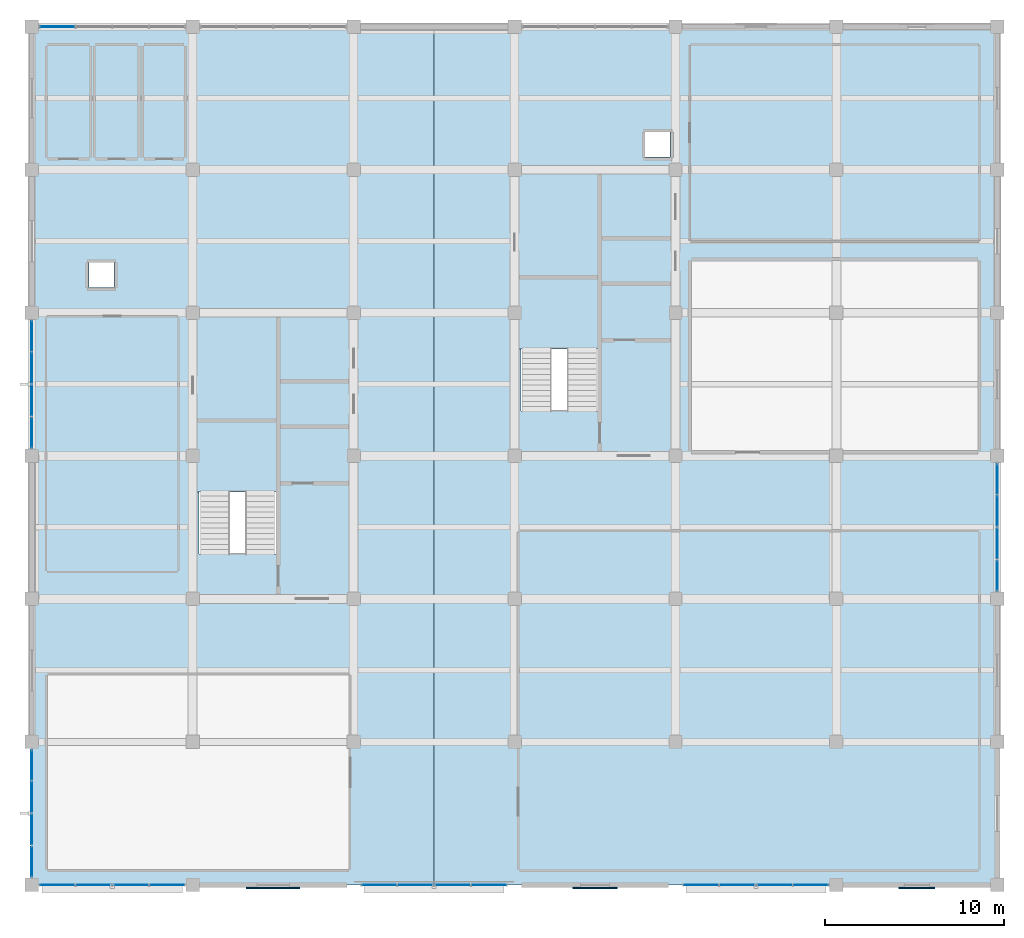
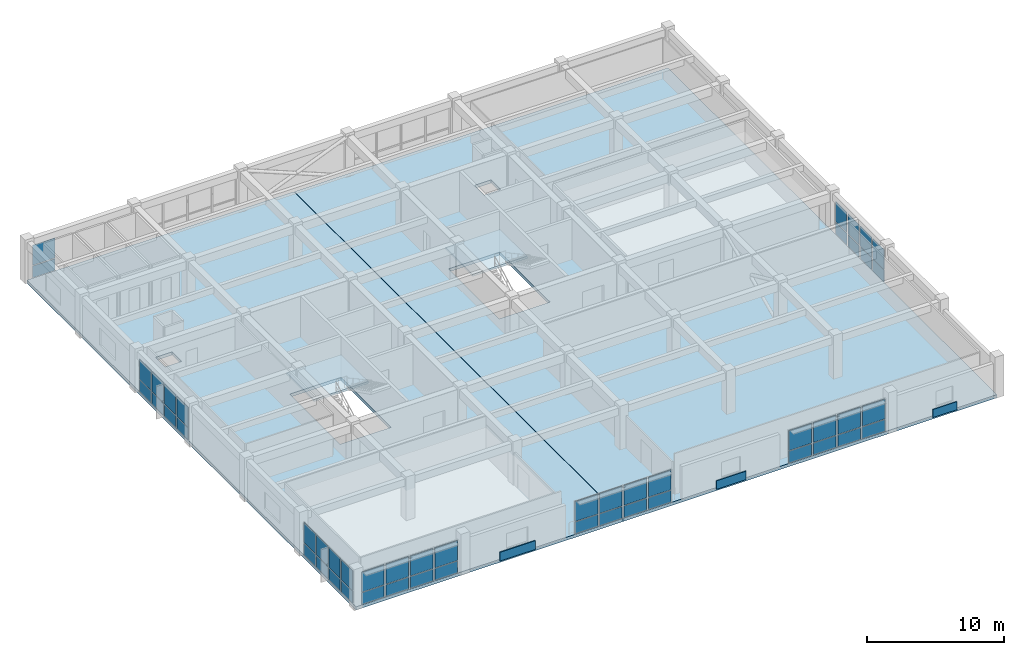
# One storey, part 10 of 15: 53 plates, 4 slabs, 9 elements without a shape of their own.
"""IFC4 building model written with IfcOpenShell, lengths in metres."""

from ifc_helpers import new_model, si_unit, direction, frame, frame_2d, origin, place, context, subcontext, project, spatial, polyline, rectangle, outline, extrude, material, layer, layer_set, type_object, element, aggregate, save


model = new_model("IFC4")

# Units and contexts
model_context = context("Model", 3, precision=1e-05, world=origin(), true_north=direction((0.0, 1.0)))
body_context = subcontext(model_context, "Body", "Model", "MODEL_VIEW")
ifc_project = project(units=[si_unit("LENGTHUNIT", "METRE"), si_unit("AREAUNIT", "SQUARE_METRE"), si_unit("VOLUMEUNIT", "CUBIC_METRE"), si_unit("PLANEANGLEUNIT", "RADIAN"), si_unit("MASSUNIT", "GRAM", prefix="KILO")], contexts=[model_context])

# Site, building, storey
site_placement = place(None, origin())
site = spatial("IfcSite", under=ifc_project, at=site_placement, CompositionType="ELEMENT")
building_placement = place(site_placement, origin())
building = spatial("IfcBuilding", under=site, at=building_placement, Name="Zaverband Oceanarium and Marine Research Institute", CompositionType="ELEMENT")
storey_placement = place(building_placement, frame((0.0, 0.0, 53.10009765625)))
storey = spatial("IfcBuildingStorey", under=building, at=storey_placement, Name="L13", CompositionType="ELEMENT", Elevation=53.10009765625)

# Curtain wall, plates
ifc_material_1 = material(Name="Thermally broken anodized aluminium and solar-control glass", Category="aluminium")
curtain_wall_type = type_object("IfcCurtainWallType", Name="CW-UNIT-1800", PredefinedType="NOTDEFINED", material=ifc_material_1)
curtain_wall_1_placement = place(storey_placement, origin())
curtain_wall_1 = element("IfcCurtainWall", 1, at=curtain_wall_1_placement, inside=storey, type_object=curtain_wall_type, Name="Unitised glazed curtain wall CW-145", PredefinedType="NOTDEFINED")
ifc_material_2 = material(Name="Low-E double-glazed solar-control glass", Category="glass")
ifc_layer_1 = layer(ifc_material_2, 0.033935546875, Name="Low-E double-glazed solar-control glass")
ifc_layer_set_1 = layer_set([ifc_layer_1], Name="Low-E double-glazed solar-control glass")
plate_type_1 = type_object("IfcPlateType", Name="CWP-1570x1043", PredefinedType="CURTAIN_PANEL", material=ifc_layer_set_1)
plate_1_placement = place(storey_placement, frame((9.0, 64.4599609375, 0.0498046875), z_axis=(0.0, 0.0, 1.0), x_axis=(0.0, 1.0, 0.0)))
plate_1 = element("IfcPlate", 2, at=plate_1_placement, type_object=plate_type_1, Name="Glazed curtain wall panel CWP-1570x1043", PredefinedType="CURTAIN_PANEL", context=body_context, shape_type="SweptSolid", body=[
    extrude(rectangle(XDim=1.650146484375, YDim=0.033935546875, at=frame_2d((0.8251953125, 0.0))), origin(), (0.0, 0.0, 1.0), 1.043212890625),
])
plate_2_placement = place(storey_placement, frame((9.0, 66.27001953125, 0.0498046875), z_axis=(0.0, 0.0, 1.0), x_axis=(0.0, 1.0, 0.0)))
plate_2 = element("IfcPlate", 3, at=plate_2_placement, type_object=plate_type_1, Name="Glazed curtain wall panel CWP-1570x1043", PredefinedType="CURTAIN_PANEL", context=body_context, shape_type="SweptSolid", body=[
    extrude(rectangle(XDim=1.64990234375, YDim=0.033935546875, at=frame_2d((0.824951171875, 0.0))), origin(), (0.0, 0.0, 1.0), 1.043212890625),
])
plate_3_placement = place(storey_placement, frame((9.0, 68.080078125, 0.0498046875), z_axis=(0.0, 0.0, 1.0), x_axis=(0.0, 1.0, 0.0)))
plate_3 = element("IfcPlate", 4, at=plate_3_placement, type_object=plate_type_1, Name="Glazed curtain wall panel CWP-1570x1043", PredefinedType="CURTAIN_PANEL", context=body_context, shape_type="SweptSolid", body=[
    extrude(rectangle(XDim=1.64990234375, YDim=0.033935546875, at=frame_2d((0.824951171875, 0.0))), origin(), (0.0, 0.0, 1.0), 1.043212890625),
])
plate_4_placement = place(storey_placement, frame((9.0, 69.889892578125, 0.0498046875), z_axis=(0.0, 0.0, 1.0), x_axis=(0.0, 1.0, 0.0)))
plate_4 = element("IfcPlate", 5, at=plate_4_placement, type_object=plate_type_1, Name="Glazed curtain wall panel CWP-1570x1043", PredefinedType="CURTAIN_PANEL", context=body_context, shape_type="SweptSolid", body=[
    extrude(rectangle(XDim=1.650146484375, YDim=0.033935546875, at=frame_2d((0.8251953125, 0.0))), origin(), (0.0, 0.0, 1.0), 1.043212890625),
])

curtain_wall_2_placement = place(storey_placement, origin())
curtain_wall_2 = element("IfcCurtainWall", 6, at=curtain_wall_2_placement, inside=storey, type_object=curtain_wall_type, Name="Unitised glazed curtain wall CW-146", PredefinedType="NOTDEFINED")
plate_5_placement = place(storey_placement, frame((9.0, 88.4599609375, 0.0498046875), z_axis=(0.0, 0.0, 1.0), x_axis=(0.0, 1.0, 0.0)))
plate_5 = element("IfcPlate", 7, at=plate_5_placement, type_object=plate_type_1, Name="Glazed curtain wall panel CWP-1570x1043", PredefinedType="CURTAIN_PANEL", context=body_context, shape_type="SweptSolid", body=[
    extrude(rectangle(XDim=1.650146484375, YDim=0.033935546875, at=frame_2d((0.8251953125, 0.0))), origin(), (0.0, 0.0, 1.0), 1.043212890625),
])
plate_6_placement = place(storey_placement, frame((9.0, 90.27001953125, 0.0498046875), z_axis=(0.0, 0.0, 1.0), x_axis=(0.0, 1.0, 0.0)))
plate_6 = element("IfcPlate", 8, at=plate_6_placement, type_object=plate_type_1, Name="Glazed curtain wall panel CWP-1570x1043", PredefinedType="CURTAIN_PANEL", context=body_context, shape_type="SweptSolid", body=[
    extrude(rectangle(XDim=1.64990234375, YDim=0.033935546875, at=frame_2d((0.824951171875, 0.0))), origin(), (0.0, 0.0, 1.0), 1.043212890625),
])
plate_7_placement = place(storey_placement, frame((9.0, 92.080078125, 0.0498046875), z_axis=(0.0, 0.0, 1.0), x_axis=(0.0, 1.0, 0.0)))
plate_7 = element("IfcPlate", 9, at=plate_7_placement, type_object=plate_type_1, Name="Glazed curtain wall panel CWP-1570x1043", PredefinedType="CURTAIN_PANEL", context=body_context, shape_type="SweptSolid", body=[
    extrude(rectangle(XDim=1.64990234375, YDim=0.033935546875, at=frame_2d((0.824951171875, 0.0))), origin(), (0.0, 0.0, 1.0), 1.043212890625),
])
plate_8_placement = place(storey_placement, frame((9.0, 93.889892578125, 0.0498046875), z_axis=(0.0, 0.0, 1.0), x_axis=(0.0, 1.0, 0.0)))
plate_8 = element("IfcPlate", 10, at=plate_8_placement, type_object=plate_type_1, Name="Glazed curtain wall panel CWP-1570x1043", PredefinedType="CURTAIN_PANEL", context=body_context, shape_type="SweptSolid", body=[
    extrude(rectangle(XDim=1.650146484375, YDim=0.033935546875, at=frame_2d((0.8251953125, 0.0))), origin(), (0.0, 0.0, 1.0), 1.043212890625),
])

curtain_wall_3_placement = place(storey_placement, origin())
curtain_wall_3 = element("IfcCurtainWall", 11, at=curtain_wall_3_placement, inside=storey, type_object=curtain_wall_type, Name="Unitised glazed curtain wall CW-147", PredefinedType="NOTDEFINED")
plate_9_placement = place(storey_placement, frame((63.0, 80.4599609375, 0.0498046875), z_axis=(0.0, 0.0, 1.0), x_axis=(0.0, 1.0, 0.0)))
plate_9 = element("IfcPlate", 12, at=plate_9_placement, type_object=plate_type_1, Name="Glazed curtain wall panel CWP-1570x1043", PredefinedType="CURTAIN_PANEL", context=body_context, shape_type="SweptSolid", body=[
    extrude(rectangle(XDim=1.650146484375, YDim=0.033935546875, at=frame_2d((0.8251953125, 0.0))), origin(), (0.0, 0.0, 1.0), 1.043212890625),
])
plate_10_placement = place(storey_placement, frame((63.0, 82.27001953125, 0.0498046875), z_axis=(0.0, 0.0, 1.0), x_axis=(0.0, 1.0, 0.0)))
plate_10 = element("IfcPlate", 13, at=plate_10_placement, type_object=plate_type_1, Name="Glazed curtain wall panel CWP-1570x1043", PredefinedType="CURTAIN_PANEL", context=body_context, shape_type="SweptSolid", body=[
    extrude(rectangle(XDim=1.64990234375, YDim=0.033935546875, at=frame_2d((0.824951171875, 0.0))), origin(), (0.0, 0.0, 1.0), 1.043212890625),
])
plate_11_placement = place(storey_placement, frame((63.0, 84.080078125, 0.0498046875), z_axis=(0.0, 0.0, 1.0), x_axis=(0.0, 1.0, 0.0)))
plate_11 = element("IfcPlate", 14, at=plate_11_placement, type_object=plate_type_1, Name="Glazed curtain wall panel CWP-1570x1043", PredefinedType="CURTAIN_PANEL", context=body_context, shape_type="SweptSolid", body=[
    extrude(rectangle(XDim=1.64990234375, YDim=0.033935546875, at=frame_2d((0.824951171875, 0.0))), origin(), (0.0, 0.0, 1.0), 1.043212890625),
])
plate_12_placement = place(storey_placement, frame((63.0, 85.889892578125, 0.0498046875), z_axis=(0.0, 0.0, 1.0), x_axis=(0.0, 1.0, 0.0)))
plate_12 = element("IfcPlate", 15, at=plate_12_placement, type_object=plate_type_1, Name="Glazed curtain wall panel CWP-1570x1043", PredefinedType="CURTAIN_PANEL", context=body_context, shape_type="SweptSolid", body=[
    extrude(rectangle(XDim=1.650146484375, YDim=0.033935546875, at=frame_2d((0.8251953125, 0.0))), origin(), (0.0, 0.0, 1.0), 1.043212890625),
])

# Plate
ifc_layer_2 = layer(ifc_material_2, 0.035888671875, Name="Low-E double-glazed solar-control glass")
ifc_layer_set_2 = layer_set([ifc_layer_2], Name="Low-E double-glazed solar-control glass")
plate_type_2 = type_object("IfcPlateType", Name="CWP-1570x1777", PredefinedType="CURTAIN_PANEL", material=ifc_layer_set_2)
plate_13_placement = place(storey_placement, frame((9.0, 64.4599609375, 1.162841796875), z_axis=(0.0, 0.0, 1.0), x_axis=(0.0, 1.0, 0.0)))
plate_13 = element("IfcPlate", 16, at=plate_13_placement, type_object=plate_type_2, Name="Glazed curtain wall panel CWP-1570x1777", PredefinedType="CURTAIN_PANEL", context=body_context, shape_type="SweptSolid", body=[
    extrude(rectangle(XDim=1.650146484375, YDim=0.035888671875, at=frame_2d((0.8251953125, 0.0))), origin(), (0.0, 0.0, 1.0), 1.777099609375),
])

plate_14_placement = place(storey_placement, frame((9.0, 66.27001953125, 1.162841796875), z_axis=(0.0, 0.0, 1.0), x_axis=(0.0, 1.0, 0.0)))
plate_14 = element("IfcPlate", 17, at=plate_14_placement, type_object=plate_type_2, Name="Glazed curtain wall panel CWP-1570x1777", PredefinedType="CURTAIN_PANEL", context=body_context, shape_type="SweptSolid", body=[
    extrude(rectangle(XDim=1.64990234375, YDim=0.035888671875, at=frame_2d((0.824951171875, 0.0))), origin(), (0.0, 0.0, 1.0), 1.777099609375),
])

plate_15_placement = place(storey_placement, frame((9.0, 68.080078125, 1.162841796875), z_axis=(0.0, 0.0, 1.0), x_axis=(0.0, 1.0, 0.0)))
plate_15 = element("IfcPlate", 18, at=plate_15_placement, type_object=plate_type_2, Name="Glazed curtain wall panel CWP-1570x1777", PredefinedType="CURTAIN_PANEL", context=body_context, shape_type="SweptSolid", body=[
    extrude(rectangle(XDim=1.64990234375, YDim=0.035888671875, at=frame_2d((0.824951171875, 0.0))), origin(), (0.0, 0.0, 1.0), 1.777099609375),
])

plate_16_placement = place(storey_placement, frame((9.0, 69.889892578125, 1.162841796875), z_axis=(0.0, 0.0, 1.0), x_axis=(0.0, 1.0, 0.0)))
plate_16 = element("IfcPlate", 19, at=plate_16_placement, type_object=plate_type_2, Name="Glazed curtain wall panel CWP-1570x1777", PredefinedType="CURTAIN_PANEL", context=body_context, shape_type="SweptSolid", body=[
    extrude(rectangle(XDim=1.650146484375, YDim=0.035888671875, at=frame_2d((0.8251953125, 0.0))), origin(), (0.0, 0.0, 1.0), 1.777099609375),
])

aggregate(curtain_wall_1, [plate_1, plate_13, plate_2, plate_14, plate_3, plate_15, plate_4, plate_16])

plate_17_placement = place(storey_placement, frame((9.0, 88.4599609375, 1.162841796875), z_axis=(0.0, 0.0, 1.0), x_axis=(0.0, 1.0, 0.0)))
plate_17 = element("IfcPlate", 20, at=plate_17_placement, type_object=plate_type_2, Name="Glazed curtain wall panel CWP-1570x1777", PredefinedType="CURTAIN_PANEL", context=body_context, shape_type="SweptSolid", body=[
    extrude(rectangle(XDim=1.650146484375, YDim=0.035888671875, at=frame_2d((0.8251953125, 0.0))), origin(), (0.0, 0.0, 1.0), 1.777099609375),
])

plate_18_placement = place(storey_placement, frame((9.0, 90.27001953125, 1.162841796875), z_axis=(0.0, 0.0, 1.0), x_axis=(0.0, 1.0, 0.0)))
plate_18 = element("IfcPlate", 21, at=plate_18_placement, type_object=plate_type_2, Name="Glazed curtain wall panel CWP-1570x1777", PredefinedType="CURTAIN_PANEL", context=body_context, shape_type="SweptSolid", body=[
    extrude(rectangle(XDim=1.64990234375, YDim=0.035888671875, at=frame_2d((0.824951171875, 0.0))), origin(), (0.0, 0.0, 1.0), 1.777099609375),
])

plate_19_placement = place(storey_placement, frame((9.0, 92.080078125, 1.162841796875), z_axis=(0.0, 0.0, 1.0), x_axis=(0.0, 1.0, 0.0)))
plate_19 = element("IfcPlate", 22, at=plate_19_placement, type_object=plate_type_2, Name="Glazed curtain wall panel CWP-1570x1777", PredefinedType="CURTAIN_PANEL", context=body_context, shape_type="SweptSolid", body=[
    extrude(rectangle(XDim=1.64990234375, YDim=0.035888671875, at=frame_2d((0.824951171875, 0.0))), origin(), (0.0, 0.0, 1.0), 1.777099609375),
])

plate_20_placement = place(storey_placement, frame((9.0, 93.889892578125, 1.162841796875), z_axis=(0.0, 0.0, 1.0), x_axis=(0.0, 1.0, 0.0)))
plate_20 = element("IfcPlate", 23, at=plate_20_placement, type_object=plate_type_2, Name="Glazed curtain wall panel CWP-1570x1777", PredefinedType="CURTAIN_PANEL", context=body_context, shape_type="SweptSolid", body=[
    extrude(rectangle(XDim=1.650146484375, YDim=0.035888671875, at=frame_2d((0.8251953125, 0.0))), origin(), (0.0, 0.0, 1.0), 1.777099609375),
])

aggregate(curtain_wall_2, [plate_5, plate_17, plate_6, plate_18, plate_7, plate_19, plate_8, plate_20])

plate_21_placement = place(storey_placement, frame((63.0, 80.4599609375, 1.162841796875), z_axis=(0.0, 0.0, 1.0), x_axis=(0.0, 1.0, 0.0)))
plate_21 = element("IfcPlate", 24, at=plate_21_placement, type_object=plate_type_2, Name="Glazed curtain wall panel CWP-1570x1777", PredefinedType="CURTAIN_PANEL", context=body_context, shape_type="SweptSolid", body=[
    extrude(rectangle(XDim=1.650146484375, YDim=0.035888671875, at=frame_2d((0.8251953125, 0.0))), origin(), (0.0, 0.0, 1.0), 1.777099609375),
])

plate_22_placement = place(storey_placement, frame((63.0, 82.27001953125, 1.162841796875), z_axis=(0.0, 0.0, 1.0), x_axis=(0.0, 1.0, 0.0)))
plate_22 = element("IfcPlate", 25, at=plate_22_placement, type_object=plate_type_2, Name="Glazed curtain wall panel CWP-1570x1777", PredefinedType="CURTAIN_PANEL", context=body_context, shape_type="SweptSolid", body=[
    extrude(rectangle(XDim=1.64990234375, YDim=0.035888671875, at=frame_2d((0.824951171875, 0.0))), origin(), (0.0, 0.0, 1.0), 1.777099609375),
])

plate_23_placement = place(storey_placement, frame((63.0, 84.080078125, 1.162841796875), z_axis=(0.0, 0.0, 1.0), x_axis=(0.0, 1.0, 0.0)))
plate_23 = element("IfcPlate", 26, at=plate_23_placement, type_object=plate_type_2, Name="Glazed curtain wall panel CWP-1570x1777", PredefinedType="CURTAIN_PANEL", context=body_context, shape_type="SweptSolid", body=[
    extrude(rectangle(XDim=1.64990234375, YDim=0.035888671875, at=frame_2d((0.824951171875, 0.0))), origin(), (0.0, 0.0, 1.0), 1.777099609375),
])

plate_24_placement = place(storey_placement, frame((63.0, 85.889892578125, 1.162841796875), z_axis=(0.0, 0.0, 1.0), x_axis=(0.0, 1.0, 0.0)))
plate_24 = element("IfcPlate", 27, at=plate_24_placement, type_object=plate_type_2, Name="Glazed curtain wall panel CWP-1570x1777", PredefinedType="CURTAIN_PANEL", context=body_context, shape_type="SweptSolid", body=[
    extrude(rectangle(XDim=1.650146484375, YDim=0.035888671875, at=frame_2d((0.8251953125, 0.0))), origin(), (0.0, 0.0, 1.0), 1.777099609375),
])

aggregate(curtain_wall_3, [plate_9, plate_21, plate_10, plate_22, plate_11, plate_23, plate_12, plate_24])

# Curtain wall, plates
curtain_wall_4_placement = place(storey_placement, origin())
curtain_wall_4 = element("IfcCurtainWall", 28, at=curtain_wall_4_placement, inside=storey, type_object=curtain_wall_type, Name="Unitised glazed curtain wall CW-139", PredefinedType="NOTDEFINED")
ifc_layer_3 = layer(ifc_material_2, 0.033935546875, Name="Low-E double-glazed solar-control glass")
ifc_layer_set_3 = layer_set([ifc_layer_3], Name="Low-E double-glazed solar-control glass")
plate_type_3 = type_object("IfcPlateType", Name="CWP-1820x1043", PredefinedType="CURTAIN_PANEL", material=ifc_layer_set_3)
plate_25_placement = place(storey_placement, frame((9.4599609375, 64.0, 0.0498046875), z_axis=(0.0, 0.0, 1.0), x_axis=(1.0, 0.0, 0.0)))
plate_25 = element("IfcPlate", 29, at=plate_25_placement, type_object=plate_type_3, Name="Glazed curtain wall panel CWP-1820x1043", PredefinedType="CURTAIN_PANEL", context=body_context, shape_type="SweptSolid", body=[
    extrude(rectangle(XDim=1.900146484375, YDim=0.033935546875, at=frame_2d((0.9501953125, 0.0))), origin(), (0.0, 0.0, 1.0), 1.043212890625),
])
plate_26_placement = place(storey_placement, frame((11.52001953125, 64.0, 0.0498046875), z_axis=(0.0, 0.0, 1.0), x_axis=(1.0, 0.0, 0.0)))
plate_26 = element("IfcPlate", 30, at=plate_26_placement, type_object=plate_type_3, Name="Glazed curtain wall panel CWP-1820x1043", PredefinedType="CURTAIN_PANEL", context=body_context, shape_type="SweptSolid", body=[
    extrude(rectangle(XDim=1.89990234375, YDim=0.033935546875, at=frame_2d((0.949951171875, 0.0))), origin(), (0.0, 0.0, 1.0), 1.043212890625),
])
plate_27_placement = place(storey_placement, frame((13.580078125, 64.0, 0.0498046875), z_axis=(0.0, 0.0, 1.0), x_axis=(1.0, 0.0, 0.0)))
plate_27 = element("IfcPlate", 31, at=plate_27_placement, type_object=plate_type_3, Name="Glazed curtain wall panel CWP-1820x1043", PredefinedType="CURTAIN_PANEL", context=body_context, shape_type="SweptSolid", body=[
    extrude(rectangle(XDim=1.89990234375, YDim=0.033935546875, at=frame_2d((0.949951171875, 0.0))), origin(), (0.0, 0.0, 1.0), 1.043212890625),
])
plate_28_placement = place(storey_placement, frame((15.639892578125, 64.0, 0.0498046875), z_axis=(0.0, 0.0, 1.0), x_axis=(1.0, 0.0, 0.0)))
plate_28 = element("IfcPlate", 32, at=plate_28_placement, type_object=plate_type_3, Name="Glazed curtain wall panel CWP-1820x1043", PredefinedType="CURTAIN_PANEL", context=body_context, shape_type="SweptSolid", body=[
    extrude(rectangle(XDim=1.900146484375, YDim=0.033935546875, at=frame_2d((0.9501953125, 0.0))), origin(), (0.0, 0.0, 1.0), 1.043212890625),
])

curtain_wall_5_placement = place(storey_placement, origin())
curtain_wall_5 = element("IfcCurtainWall", 33, at=curtain_wall_5_placement, inside=storey, type_object=curtain_wall_type, Name="Unitised glazed curtain wall CW-140", PredefinedType="NOTDEFINED")
plate_29_placement = place(storey_placement, frame((27.4599609375, 64.0, 0.0498046875), z_axis=(0.0, 0.0, 1.0), x_axis=(1.0, 0.0, 0.0)))
plate_29 = element("IfcPlate", 34, at=plate_29_placement, type_object=plate_type_3, Name="Glazed curtain wall panel CWP-1820x1043", PredefinedType="CURTAIN_PANEL", context=body_context, shape_type="SweptSolid", body=[
    extrude(rectangle(XDim=1.900146484375, YDim=0.033935546875, at=frame_2d((0.9501953125, 0.0))), origin(), (0.0, 0.0, 1.0), 1.043212890625),
])
plate_30_placement = place(storey_placement, frame((29.52001953125, 64.0, 0.0498046875), z_axis=(0.0, 0.0, 1.0), x_axis=(1.0, 0.0, 0.0)))
plate_30 = element("IfcPlate", 35, at=plate_30_placement, type_object=plate_type_3, Name="Glazed curtain wall panel CWP-1820x1043", PredefinedType="CURTAIN_PANEL", context=body_context, shape_type="SweptSolid", body=[
    extrude(rectangle(XDim=1.89990234375, YDim=0.033935546875, at=frame_2d((0.949951171875, 0.0))), origin(), (0.0, 0.0, 1.0), 1.043212890625),
])
plate_31_placement = place(storey_placement, frame((31.580078125, 64.0, 0.0498046875), z_axis=(0.0, 0.0, 1.0), x_axis=(1.0, 0.0, 0.0)))
plate_31 = element("IfcPlate", 36, at=plate_31_placement, type_object=plate_type_3, Name="Glazed curtain wall panel CWP-1820x1043", PredefinedType="CURTAIN_PANEL", context=body_context, shape_type="SweptSolid", body=[
    extrude(rectangle(XDim=1.89990234375, YDim=0.033935546875, at=frame_2d((0.949951171875, 0.0))), origin(), (0.0, 0.0, 1.0), 1.043212890625),
])
plate_32_placement = place(storey_placement, frame((33.639892578125, 64.0, 0.0498046875), z_axis=(0.0, 0.0, 1.0), x_axis=(1.0, 0.0, 0.0)))
plate_32 = element("IfcPlate", 37, at=plate_32_placement, type_object=plate_type_3, Name="Glazed curtain wall panel CWP-1820x1043", PredefinedType="CURTAIN_PANEL", context=body_context, shape_type="SweptSolid", body=[
    extrude(rectangle(XDim=1.900146484375, YDim=0.033935546875, at=frame_2d((0.9501953125, 0.0))), origin(), (0.0, 0.0, 1.0), 1.043212890625),
])

curtain_wall_6_placement = place(storey_placement, origin())
curtain_wall_6 = element("IfcCurtainWall", 38, at=curtain_wall_6_placement, inside=storey, type_object=curtain_wall_type, Name="Unitised glazed curtain wall CW-141", PredefinedType="NOTDEFINED")
plate_33_placement = place(storey_placement, frame((45.4599609375, 64.0, 0.0498046875), z_axis=(0.0, 0.0, 1.0), x_axis=(1.0, 0.0, 0.0)))
plate_33 = element("IfcPlate", 39, at=plate_33_placement, type_object=plate_type_3, Name="Glazed curtain wall panel CWP-1820x1043", PredefinedType="CURTAIN_PANEL", context=body_context, shape_type="SweptSolid", body=[
    extrude(rectangle(XDim=1.900146484375, YDim=0.033935546875, at=frame_2d((0.9501953125, 0.0))), origin(), (0.0, 0.0, 1.0), 1.043212890625),
])
plate_34_placement = place(storey_placement, frame((47.52001953125, 64.0, 0.0498046875), z_axis=(0.0, 0.0, 1.0), x_axis=(1.0, 0.0, 0.0)))
plate_34 = element("IfcPlate", 40, at=plate_34_placement, type_object=plate_type_3, Name="Glazed curtain wall panel CWP-1820x1043", PredefinedType="CURTAIN_PANEL", context=body_context, shape_type="SweptSolid", body=[
    extrude(rectangle(XDim=1.89990234375, YDim=0.033935546875, at=frame_2d((0.949951171875, 0.0))), origin(), (0.0, 0.0, 1.0), 1.043212890625),
])
plate_35_placement = place(storey_placement, frame((49.580078125, 64.0, 0.0498046875), z_axis=(0.0, 0.0, 1.0), x_axis=(1.0, 0.0, 0.0)))
plate_35 = element("IfcPlate", 41, at=plate_35_placement, type_object=plate_type_3, Name="Glazed curtain wall panel CWP-1820x1043", PredefinedType="CURTAIN_PANEL", context=body_context, shape_type="SweptSolid", body=[
    extrude(rectangle(XDim=1.89990234375, YDim=0.033935546875, at=frame_2d((0.949951171875, 0.0))), origin(), (0.0, 0.0, 1.0), 1.043212890625),
])
plate_36_placement = place(storey_placement, frame((51.639892578125, 64.0, 0.0498046875), z_axis=(0.0, 0.0, 1.0), x_axis=(1.0, 0.0, 0.0)))
plate_36 = element("IfcPlate", 42, at=plate_36_placement, type_object=plate_type_3, Name="Glazed curtain wall panel CWP-1820x1043", PredefinedType="CURTAIN_PANEL", context=body_context, shape_type="SweptSolid", body=[
    extrude(rectangle(XDim=1.900146484375, YDim=0.033935546875, at=frame_2d((0.9501953125, 0.0))), origin(), (0.0, 0.0, 1.0), 1.043212890625),
])

# Curtain wall, plate
curtain_wall_7_placement = place(storey_placement, origin())
curtain_wall_7 = element("IfcCurtainWall", 43, at=curtain_wall_7_placement, inside=storey, type_object=curtain_wall_type, Name="Unitised glazed curtain wall CW-142", PredefinedType="NOTDEFINED")
plate_37_placement = place(storey_placement, frame((9.4599609375, 112.0, 0.0498046875), z_axis=(0.0, 0.0, 1.0), x_axis=(1.0, 0.0, 0.0)))
plate_37 = element("IfcPlate", 44, at=plate_37_placement, type_object=plate_type_3, Name="Glazed curtain wall panel CWP-1820x1043", PredefinedType="CURTAIN_PANEL", context=body_context, shape_type="SweptSolid", body=[
    extrude(rectangle(XDim=1.900146484375, YDim=0.033935546875, at=frame_2d((0.9501953125, 0.0))), origin(), (0.0, 0.0, 1.0), 1.043212890625),
])

# Plate
ifc_layer_4 = layer(ifc_material_2, 0.035888671875, Name="Low-E double-glazed solar-control glass")
ifc_layer_set_4 = layer_set([ifc_layer_4], Name="Low-E double-glazed solar-control glass")
plate_type_4 = type_object("IfcPlateType", Name="CWP-1820x1777", PredefinedType="CURTAIN_PANEL", material=ifc_layer_set_4)
plate_38_placement = place(storey_placement, frame((9.4599609375, 64.0, 1.162841796875), z_axis=(0.0, 0.0, 1.0), x_axis=(1.0, 0.0, 0.0)))
plate_38 = element("IfcPlate", 45, at=plate_38_placement, type_object=plate_type_4, Name="Glazed curtain wall panel CWP-1820x1777", PredefinedType="CURTAIN_PANEL", context=body_context, shape_type="SweptSolid", body=[
    extrude(rectangle(XDim=1.900146484375, YDim=0.035888671875, at=frame_2d((0.9501953125, 0.0))), origin(), (0.0, 0.0, 1.0), 1.777099609375),
])

plate_39_placement = place(storey_placement, frame((11.52001953125, 64.0, 1.162841796875), z_axis=(0.0, 0.0, 1.0), x_axis=(1.0, 0.0, 0.0)))
plate_39 = element("IfcPlate", 46, at=plate_39_placement, type_object=plate_type_4, Name="Glazed curtain wall panel CWP-1820x1777", PredefinedType="CURTAIN_PANEL", context=body_context, shape_type="SweptSolid", body=[
    extrude(rectangle(XDim=1.89990234375, YDim=0.035888671875, at=frame_2d((0.949951171875, 0.0))), origin(), (0.0, 0.0, 1.0), 1.777099609375),
])

plate_40_placement = place(storey_placement, frame((13.580078125, 64.0, 1.162841796875), z_axis=(0.0, 0.0, 1.0), x_axis=(1.0, 0.0, 0.0)))
plate_40 = element("IfcPlate", 47, at=plate_40_placement, type_object=plate_type_4, Name="Glazed curtain wall panel CWP-1820x1777", PredefinedType="CURTAIN_PANEL", context=body_context, shape_type="SweptSolid", body=[
    extrude(rectangle(XDim=1.89990234375, YDim=0.035888671875, at=frame_2d((0.949951171875, 0.0))), origin(), (0.0, 0.0, 1.0), 1.777099609375),
])

plate_41_placement = place(storey_placement, frame((15.639892578125, 64.0, 1.162841796875), z_axis=(0.0, 0.0, 1.0), x_axis=(1.0, 0.0, 0.0)))
plate_41 = element("IfcPlate", 48, at=plate_41_placement, type_object=plate_type_4, Name="Glazed curtain wall panel CWP-1820x1777", PredefinedType="CURTAIN_PANEL", context=body_context, shape_type="SweptSolid", body=[
    extrude(rectangle(XDim=1.900146484375, YDim=0.035888671875, at=frame_2d((0.9501953125, 0.0))), origin(), (0.0, 0.0, 1.0), 1.777099609375),
])

aggregate(curtain_wall_4, [plate_25, plate_38, plate_26, plate_39, plate_27, plate_40, plate_28, plate_41])

plate_42_placement = place(storey_placement, frame((27.4599609375, 64.0, 1.162841796875), z_axis=(0.0, 0.0, 1.0), x_axis=(1.0, 0.0, 0.0)))
plate_42 = element("IfcPlate", 49, at=plate_42_placement, type_object=plate_type_4, Name="Glazed curtain wall panel CWP-1820x1777", PredefinedType="CURTAIN_PANEL", context=body_context, shape_type="SweptSolid", body=[
    extrude(rectangle(XDim=1.900146484375, YDim=0.035888671875, at=frame_2d((0.9501953125, 0.0))), origin(), (0.0, 0.0, 1.0), 1.777099609375),
])

plate_43_placement = place(storey_placement, frame((29.52001953125, 64.0, 1.162841796875), z_axis=(0.0, 0.0, 1.0), x_axis=(1.0, 0.0, 0.0)))
plate_43 = element("IfcPlate", 50, at=plate_43_placement, type_object=plate_type_4, Name="Glazed curtain wall panel CWP-1820x1777", PredefinedType="CURTAIN_PANEL", context=body_context, shape_type="SweptSolid", body=[
    extrude(rectangle(XDim=1.89990234375, YDim=0.035888671875, at=frame_2d((0.949951171875, 0.0))), origin(), (0.0, 0.0, 1.0), 1.777099609375),
])

plate_44_placement = place(storey_placement, frame((31.580078125, 64.0, 1.162841796875), z_axis=(0.0, 0.0, 1.0), x_axis=(1.0, 0.0, 0.0)))
plate_44 = element("IfcPlate", 51, at=plate_44_placement, type_object=plate_type_4, Name="Glazed curtain wall panel CWP-1820x1777", PredefinedType="CURTAIN_PANEL", context=body_context, shape_type="SweptSolid", body=[
    extrude(rectangle(XDim=1.89990234375, YDim=0.035888671875, at=frame_2d((0.949951171875, 0.0))), origin(), (0.0, 0.0, 1.0), 1.777099609375),
])

plate_45_placement = place(storey_placement, frame((33.639892578125, 64.0, 1.162841796875), z_axis=(0.0, 0.0, 1.0), x_axis=(1.0, 0.0, 0.0)))
plate_45 = element("IfcPlate", 52, at=plate_45_placement, type_object=plate_type_4, Name="Glazed curtain wall panel CWP-1820x1777", PredefinedType="CURTAIN_PANEL", context=body_context, shape_type="SweptSolid", body=[
    extrude(rectangle(XDim=1.900146484375, YDim=0.035888671875, at=frame_2d((0.9501953125, 0.0))), origin(), (0.0, 0.0, 1.0), 1.777099609375),
])

aggregate(curtain_wall_5, [plate_29, plate_42, plate_30, plate_43, plate_31, plate_44, plate_32, plate_45])

plate_46_placement = place(storey_placement, frame((45.4599609375, 64.0, 1.162841796875), z_axis=(0.0, 0.0, 1.0), x_axis=(1.0, 0.0, 0.0)))
plate_46 = element("IfcPlate", 53, at=plate_46_placement, type_object=plate_type_4, Name="Glazed curtain wall panel CWP-1820x1777", PredefinedType="CURTAIN_PANEL", context=body_context, shape_type="SweptSolid", body=[
    extrude(rectangle(XDim=1.900146484375, YDim=0.035888671875, at=frame_2d((0.9501953125, 0.0))), origin(), (0.0, 0.0, 1.0), 1.777099609375),
])

plate_47_placement = place(storey_placement, frame((47.52001953125, 64.0, 1.162841796875), z_axis=(0.0, 0.0, 1.0), x_axis=(1.0, 0.0, 0.0)))
plate_47 = element("IfcPlate", 54, at=plate_47_placement, type_object=plate_type_4, Name="Glazed curtain wall panel CWP-1820x1777", PredefinedType="CURTAIN_PANEL", context=body_context, shape_type="SweptSolid", body=[
    extrude(rectangle(XDim=1.89990234375, YDim=0.035888671875, at=frame_2d((0.949951171875, 0.0))), origin(), (0.0, 0.0, 1.0), 1.777099609375),
])

plate_48_placement = place(storey_placement, frame((49.580078125, 64.0, 1.162841796875), z_axis=(0.0, 0.0, 1.0), x_axis=(1.0, 0.0, 0.0)))
plate_48 = element("IfcPlate", 55, at=plate_48_placement, type_object=plate_type_4, Name="Glazed curtain wall panel CWP-1820x1777", PredefinedType="CURTAIN_PANEL", context=body_context, shape_type="SweptSolid", body=[
    extrude(rectangle(XDim=1.89990234375, YDim=0.035888671875, at=frame_2d((0.949951171875, 0.0))), origin(), (0.0, 0.0, 1.0), 1.777099609375),
])

plate_49_placement = place(storey_placement, frame((51.639892578125, 64.0, 1.162841796875), z_axis=(0.0, 0.0, 1.0), x_axis=(1.0, 0.0, 0.0)))
plate_49 = element("IfcPlate", 56, at=plate_49_placement, type_object=plate_type_4, Name="Glazed curtain wall panel CWP-1820x1777", PredefinedType="CURTAIN_PANEL", context=body_context, shape_type="SweptSolid", body=[
    extrude(rectangle(XDim=1.900146484375, YDim=0.035888671875, at=frame_2d((0.9501953125, 0.0))), origin(), (0.0, 0.0, 1.0), 1.777099609375),
])

aggregate(curtain_wall_6, [plate_33, plate_46, plate_34, plate_47, plate_35, plate_48, plate_36, plate_49])

plate_50_placement = place(storey_placement, frame((9.4599609375, 112.0, 1.162841796875), z_axis=(0.0, 0.0, 1.0), x_axis=(1.0, 0.0, 0.0)))
plate_50 = element("IfcPlate", 57, at=plate_50_placement, type_object=plate_type_4, Name="Glazed curtain wall panel CWP-1820x1777", PredefinedType="CURTAIN_PANEL", context=body_context, shape_type="SweptSolid", body=[
    extrude(rectangle(XDim=1.900146484375, YDim=0.035888671875, at=frame_2d((0.9501953125, 0.0))), origin(), (0.0, 0.0, 1.0), 1.777099609375),
])

aggregate(curtain_wall_7, [plate_37, plate_50])

# Plates
ifc_material_3 = material(Name="Concrete C40/50 precast ochre", Category="concrete")
ifc_layer_5 = layer(ifc_material_3, 0.070068359375, Name="Concrete C40/50 precast ochre")
ifc_layer_set_5 = layer_set([ifc_layer_5], Name="Concrete C40/50 precast ochre")
plate_type_5 = type_object("IfcPlateType", Name="FRP-2000x720", PredefinedType="USERDEFINED", material=ifc_layer_set_5)
plate_51_placement = place(storey_placement, frame((57.5, 63.8349609375, 0.0), z_axis=(0.0, 0.0, 1.0), x_axis=(1.0, 0.0, 0.0)))
element("IfcPlate", 58, at=plate_51_placement, inside=storey, type_object=plate_type_5, Name="Geometric precast facade cladding panel FRP-2000x720", ObjectType="FLANGE_PLATE", PredefinedType="USERDEFINED", context=body_context, shape_type="SweptSolid", body=[
    extrude(rectangle(XDim=2.0, YDim=0.070068359375, at=frame_2d((1.0, 0.0))), origin(), (0.0, 0.0, 1.0), 0.719970703125),
])
ifc_layer_6 = layer(ifc_material_3, 0.074951171875, Name="Concrete C40/50 precast ochre")
ifc_layer_set_6 = layer_set([ifc_layer_6], Name="Concrete C40/50 precast ochre")
plate_type_6 = type_object("IfcPlateType", Name="FRP-2500x750", PredefinedType="USERDEFINED", material=ifc_layer_set_6)
plate_52_placement = place(storey_placement, frame((39.25, 63.83251953125, 0.0), z_axis=(0.0, 0.0, 1.0), x_axis=(1.0, 0.0, 0.0)))
element("IfcPlate", 59, at=plate_52_placement, inside=storey, type_object=plate_type_6, Name="Geometric precast facade cladding panel FRP-2500x750", ObjectType="FLANGE_PLATE", PredefinedType="USERDEFINED", context=body_context, shape_type="SweptSolid", body=[
    extrude(rectangle(XDim=2.5, YDim=0.074951171875, at=frame_2d((1.25, 0.0))), origin(), (0.0, 0.0, 1.0), 0.75),
])
ifc_layer_7 = layer(ifc_material_3, 0.080078125, Name="Concrete C40/50 precast ochre")
ifc_layer_set_7 = layer_set([ifc_layer_7], Name="Concrete C40/50 precast ochre")
plate_type_7 = type_object("IfcPlateType", Name="FRP-3000x780", PredefinedType="USERDEFINED", material=ifc_layer_set_7)
plate_53_placement = place(storey_placement, frame((21.0, 63.830078125, 0.0), z_axis=(0.0, 0.0, 1.0), x_axis=(1.0, 0.0, 0.0)))
element("IfcPlate", 60, at=plate_53_placement, inside=storey, type_object=plate_type_7, Name="Geometric precast facade cladding panel FRP-3000x780", ObjectType="FLANGE_PLATE", PredefinedType="USERDEFINED", context=body_context, shape_type="SweptSolid", body=[
    extrude(rectangle(XDim=3.0, YDim=0.080078125, at=frame_2d((1.5, 0.0))), origin(), (0.0, 0.0, 1.0), 0.77978515625),
])

# Slabs
ifc_material_4 = material(Name="Concrete C40/50", Category="concrete")
ifc_layer_8 = layer(ifc_material_4, 0.280029296875, Name="Concrete C40/50")
ifc_layer_set_8 = layer_set([ifc_layer_8], Name="Concrete C40/50")
slab_type_1 = type_object("IfcSlabType", Name="SLB-ARC-280", PredefinedType="FLOOR", material=ifc_layer_set_8)
slab_1_placement = place(storey_placement, frame((0.0, 0.0, -0.280029296875)))
element("IfcSlab", 61, at=slab_1_placement, inside=storey, type_object=slab_type_1, Name="Suspended floor slab SLB-ARC-280", PredefinedType="FLOOR", context=body_context, shape_type="SweptSolid", body=[
    extrude(outline(polyline([(9.0, 112.0), (31.485107421875, 112.0), (31.485107421875, 64.0), (9.0, 64.0), (9.0, 112.0)]), holes=[polyline([(18.35009765625, 89.85009765625), (18.35009765625, 82.5), (22.64990234375, 82.5), (22.64990234375, 89.85009765625), (18.35009765625, 89.85009765625)]), polyline([(12.199951171875, 98.800048828125), (12.199951171875, 97.39990234375), (13.60009765625, 97.39990234375), (13.60009765625, 98.800048828125), (12.199951171875, 98.800048828125)])]), origin(), (0.0, 0.0, 1.0), 0.280029296875),
])
slab_2_placement = place(storey_placement, frame((0.0, 0.0, -0.280029296875)))
element("IfcSlab", 62, at=slab_2_placement, inside=storey, type_object=slab_type_1, Name="Suspended floor slab SLB-ARC-280", PredefinedType="FLOOR", context=body_context, shape_type="SweptSolid", body=[
    extrude(outline(polyline([(31.514892578125, 112.0), (63.0, 112.0), (63.0, 64.0), (31.514892578125, 64.0), (31.514892578125, 112.0)]), holes=[polyline([(36.35009765625, 97.85009765625), (36.35009765625, 90.5), (40.64990234375, 90.5), (40.64990234375, 97.85009765625), (36.35009765625, 97.85009765625)]), polyline([(43.300048828125, 106.10009765625), (43.300048828125, 104.699951171875), (44.699951171875, 104.699951171875), (44.699951171875, 106.10009765625), (43.300048828125, 106.10009765625)])]), origin(), (0.0, 0.0, 1.0), 0.280029296875),
])

# Stair, slab
stair_type = type_object("IfcStairType", Name="STR-TWR-1650-3900", PredefinedType="HALF_TURN_STAIR", material=ifc_material_4)
stair_1_placement = place(storey_placement, origin())
stair_1 = element("IfcStair", 63, at=stair_1_placement, inside=storey, type_object=stair_type, Name="Exit Stair ST-01 (L13)", PredefinedType="HALF_TURN_STAIR")
ifc_layer_9 = layer(ifc_material_4, 0.199951171875, Name="Concrete C40/50")
ifc_layer_set_9 = layer_set([ifc_layer_9], Name="Concrete C40/50")
slab_type_2 = type_object("IfcSlabType", Name="SLB-LND-200", PredefinedType="LANDING", material=ifc_layer_set_9)
slab_3_placement = place(storey_placement, frame((0.0, 0.0, 1.75)))
slab_3 = element("IfcSlab", 64, at=slab_3_placement, type_object=slab_type_2, Name="Stair / ramp landing slab SLB-LND-200", PredefinedType="LANDING", context=body_context, shape_type="SweptSolid", body=[
    extrude(outline(polyline([(18.139892578125, 85.969970703125), (22.735107421875, 85.969970703125), (22.735107421875, 89.93505859375), (18.139892578125, 89.93505859375), (18.139892578125, 85.969970703125)])), origin(), (0.0, 0.0, 1.0), 0.199951171875),
])
aggregate(stair_1, [slab_3])

stair_2_placement = place(storey_placement, origin())
stair_2 = element("IfcStair", 65, at=stair_2_placement, inside=storey, type_object=stair_type, Name="Exit Stair ST-02 (L13)", PredefinedType="HALF_TURN_STAIR")
slab_4_placement = place(storey_placement, frame((0.0, 0.0, 1.75)))
slab_4 = element("IfcSlab", 66, at=slab_4_placement, type_object=slab_type_2, Name="Stair / ramp landing slab SLB-LND-200", PredefinedType="LANDING", context=body_context, shape_type="SweptSolid", body=[
    extrude(outline(polyline([(36.139892578125, 93.969970703125), (40.735107421875, 93.969970703125), (40.735107421875, 97.93505859375), (36.139892578125, 97.93505859375), (36.139892578125, 93.969970703125)])), origin(), (0.0, 0.0, 1.0), 0.199951171875),
])
aggregate(stair_2, [slab_4])

save(model, "model.ifc")
